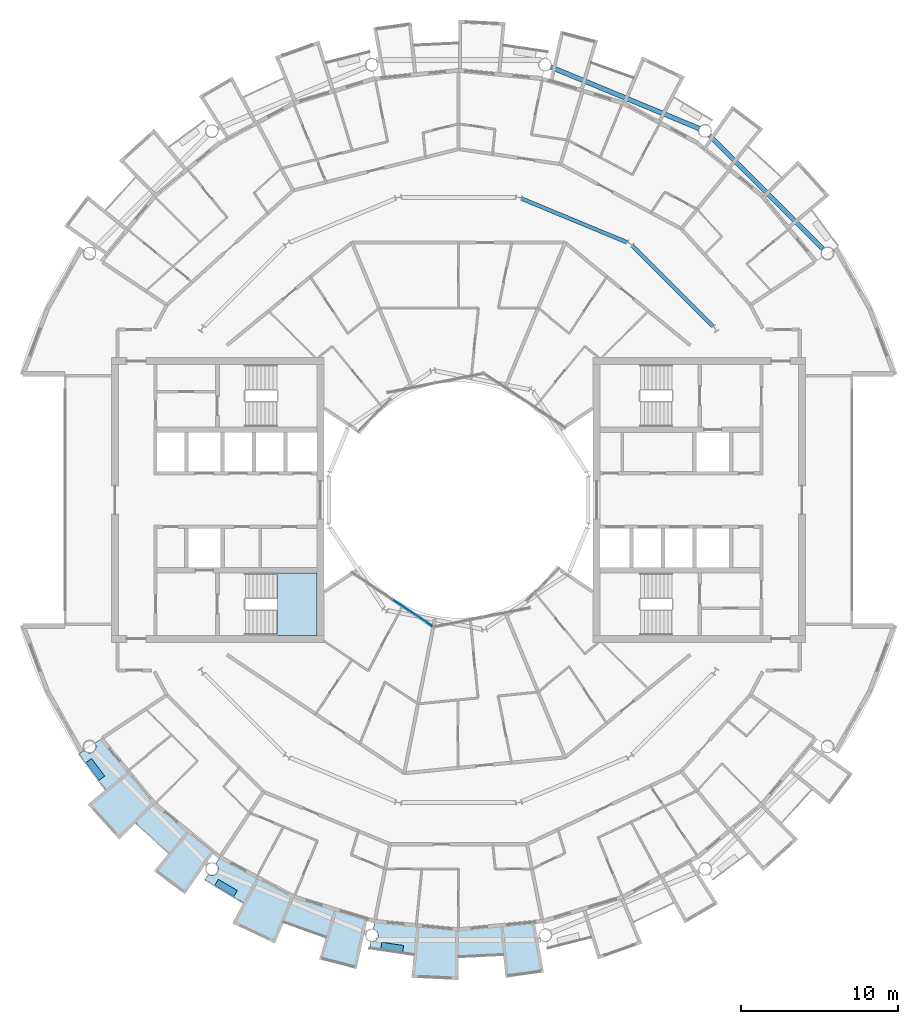
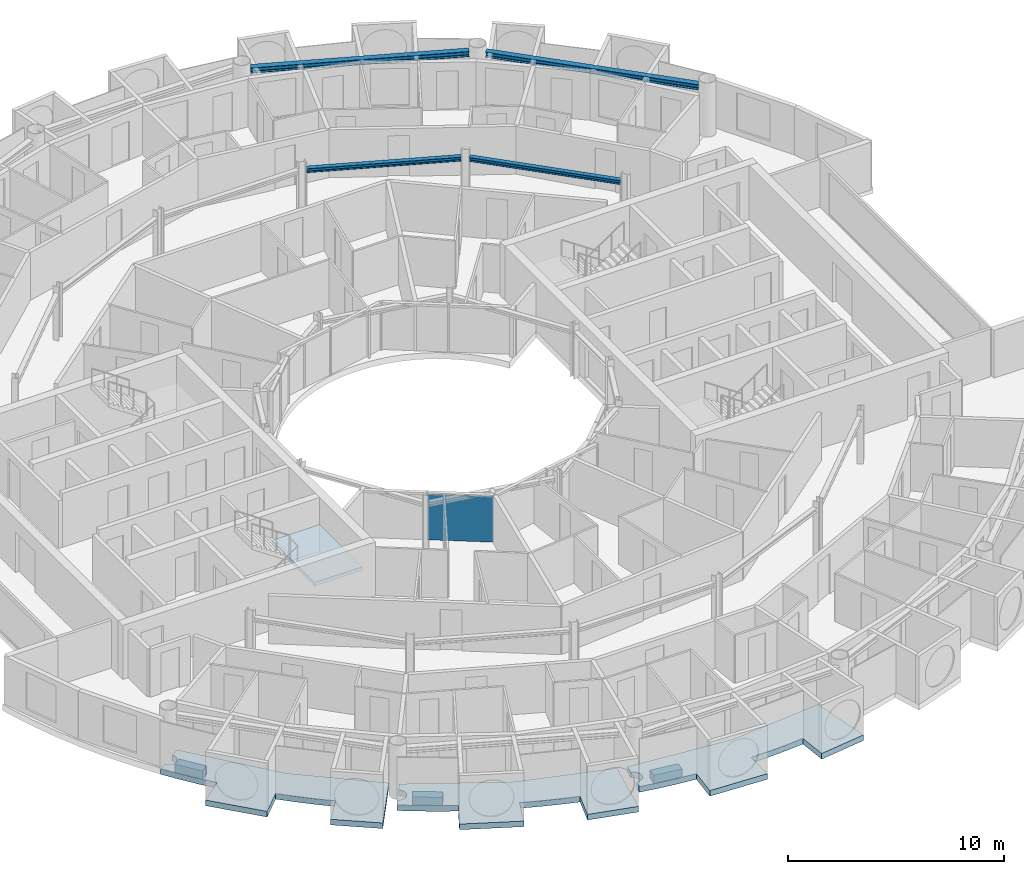
# One storey, part 11 of 29: 7 slabs, 4 beams, 1 plate, 2 elements without a shape of their own.
"""IFC4 building model written with IfcOpenShell, lengths in metres."""

from ifc_helpers import new_model, si_unit, direction, frame, origin, origin_2d, place, context, subcontext, project, spatial, polyline, rectangle, i_section, outline, extrude, material, layer, layer_set, material_profile, profile_set, type_object, element, aggregate, save


model = new_model("IFC4")

# Units and contexts
model_context = context("Model", 3, precision=1e-05, world=origin(), true_north=direction((0.0, 1.0)))
body_context = subcontext(model_context, "Body", "Model", "MODEL_VIEW")
ifc_project = project(units=[si_unit("LENGTHUNIT", "METRE"), si_unit("AREAUNIT", "SQUARE_METRE"), si_unit("VOLUMEUNIT", "CUBIC_METRE"), si_unit("PLANEANGLEUNIT", "RADIAN"), si_unit("MASSUNIT", "GRAM", prefix="KILO")], contexts=[model_context])

# Site, building, storey
site_placement = place(None, origin())
site = spatial("IfcSite", under=ifc_project, at=site_placement, CompositionType="ELEMENT")
building_placement = place(site_placement, origin())
building = spatial("IfcBuilding", under=site, at=building_placement, Name="Maasbend Ring Residences", CompositionType="ELEMENT")
storey_placement = place(building_placement, frame((0.0, 0.0, 215.75)))
storey = spatial("IfcBuildingStorey", under=building, at=storey_placement, Name="L62", CompositionType="ELEMENT", Elevation=215.75)

# Beams
ifc_material_1 = material(Name="Steel S355J2", Category="steel")
ifc_material_profile_1 = material_profile(ifc_material_1, i_section(OverallWidth=0.239990234375, OverallDepth=0.22998046875, WebThickness=0.007568359375, FlangeThickness=0.011962890625, FilletRadius=0.02099609375, at=origin_2d()), Name="HEA 240")
ifc_profile_set_1 = profile_set([ifc_material_profile_1], Name="Steel S355J2")
beam_type_1 = type_object("IfcBeamType", Name="Corridor ring beam HEA 240", PredefinedType="BEAM", material=ifc_profile_set_1)
beam_1_placement = place(storey_placement, frame((16.152587890625, 11.033447265625, 2.5849609375), z_axis=(-0.707106781187, 0.707106781187, 0.0), x_axis=(-0.707106781187, -0.707106781187, 0.0)))
element("IfcBeam", 1, at=beam_1_placement, inside=storey, type_object=beam_type_1, Name="Corridor ring beam", PredefinedType="BEAM", context=body_context, shape_type="SweptSolid", body=[
    extrude(i_section(OverallWidth=0.239990234375, OverallDepth=0.22998046875, WebThickness=0.007568359375, FlangeThickness=0.011962890625, FilletRadius=0.02099609375, at=origin_2d()), origin(), (0.0, 0.0, 1.0), 7.239501953125),
])
beam_2_placement = place(storey_placement, frame((10.70068359375, 16.374755859375, 2.5849609375), z_axis=(-0.923865162022, 0.382718123952, 0.0), x_axis=(-0.382718123952, -0.923865162022, 0.0)))
element("IfcBeam", 2, at=beam_2_placement, inside=storey, type_object=beam_type_1, Name="Corridor ring beam", PredefinedType="BEAM", context=body_context, shape_type="SweptSolid", body=[
    extrude(i_section(OverallWidth=0.239990234375, OverallDepth=0.22998046875, WebThickness=0.007568359375, FlangeThickness=0.011962890625, FilletRadius=0.02099609375, at=origin_2d()), origin(), (0.0, 0.0, 1.0), 7.23974609375),
])
ifc_material_2 = material(Name="Steel S355J2", Category="steel")
ifc_material_profile_2 = material_profile(ifc_material_2, i_section(OverallWidth=0.300048828125, OverallDepth=0.300048828125, WebThickness=0.010986328125, FlangeThickness=0.01904296875, FilletRadius=0.027099609375, at=origin_2d()), Name="HEB 300")
ifc_profile_set_2 = profile_set([ifc_material_profile_2], Name="Steel S355J2")
beam_type_2 = type_object("IfcBeamType", Name="Spandrel ring beam HEB 300", PredefinedType="SPANDREL", material=ifc_profile_set_2)
for number, where, z_axis, x_axis, name in (
    (3, (23.159912109375, 15.95458984375, 2.550048828125), (-0.707106781187, 0.707106781187, 0.0), (-0.707106781187, -0.707106781187, 0.0), "Spandrel ring beam"),
    (4, (15.29150390625, 23.60302734375, 2.550048828125), (-0.923883676188, 0.382673428492, 0.0), (-0.382673428492, -0.923883676188, 0.0), "Spandrel ring beam"),
):
    element("IfcBeam", number, at=place(storey_placement, frame(where, z_axis=z_axis, x_axis=x_axis)), inside=storey, type_object=beam_type_2, Name=name, PredefinedType="SPANDREL", context=body_context, shape_type="SweptSolid", body=[
        extrude(i_section(OverallWidth=0.300048828125, OverallDepth=0.300048828125, WebThickness=0.010986328125, FlangeThickness=0.01904296875, FilletRadius=0.027099609375, at=origin_2d()), origin(), (0.0, 0.0, 1.0), 10.18994140625),
    ])

# Stair, slab
ifc_material_3 = material(Name="Concrete C40/50", Category="concrete")
stair_type = type_object("IfcStairType", Name="CORE STAIR 18 RISERS", PredefinedType="HALF_TURN_STAIR", material=ifc_material_3)
stair_placement = place(storey_placement, origin())
stair = element("IfcStair", 5, at=stair_placement, inside=storey, type_object=stair_type, Name="L62 Exit stair ST-W1", PredefinedType="HALF_TURN_STAIR")
ifc_material_4 = material(Name="Concrete C40/50", Category="concrete")
ifc_layer_1 = layer(ifc_material_4, 0.199951171875)
ifc_layer_set_1 = layer_set([ifc_layer_1], Name="Concrete C40/50")
slab_type_1 = type_object("IfcSlabType", Name="CORE STAIR LANDING 200", PredefinedType="LANDING", material=ifc_layer_set_1)
slab_1_placement = place(storey_placement, frame((0.0, 0.0, 1.324951171875)))
slab_1 = element("IfcSlab", 6, at=slab_1_placement, type_object=slab_type_1, Name="ST-W1 landing 1", PredefinedType="LANDING", context=body_context, shape_type="SweptSolid", body=[
    extrude(outline(polyline([(-11.550048828125, -8.60009765625), (-9.0, -8.60009765625), (-9.0, -4.64990234375), (-11.550048828125, -4.64990234375), (-11.550048828125, -8.60009765625)])), origin(), (0.0, 0.0, 1.0), 0.199951171875),
])
aggregate(stair, [slab_1])

# Curtain wall, plate
ifc_material_5 = material(Name="Aluminium and clear glass", Category="aluminium")
ifc_layer_2 = layer(ifc_material_5, 0.179931640625)
ifc_layer_set_2 = layer_set([ifc_layer_2], Name="CW-W")
curtain_wall_type = type_object("IfcCurtainWallType", Name="CW-W", PredefinedType="NOTDEFINED", material=ifc_layer_set_2)
curtain_wall_placement = place(storey_placement, origin())
curtain_wall = element("IfcCurtainWall", 7, at=curtain_wall_placement, inside=storey, type_object=curtain_wall_type, Name="Well curtain wall S1", PredefinedType="NOTDEFINED")
ifc_material_6 = material(Name="Glass clear laminated", Category="glass")
ifc_layer_3 = layer(ifc_material_6, 0.031982421875)
ifc_layer_set_3 = layer_set([ifc_layer_3], Name="CWP-W")
plate_type = type_object("IfcPlateType", Name="CWP-W", PredefinedType="CURTAIN_PANEL", material=ifc_layer_set_3)
plate_placement = place(storey_placement, frame((-2.922119140625, -7.17578125, 0.0), z_axis=(0.0, 0.0, 1.0), x_axis=(0.831469612303, -0.55557023302, 0.0)))
plate = element("IfcPlate", 8, at=plate_placement, type_object=plate_type, Name="Glass panel well face", PredefinedType="CURTAIN_PANEL", context=body_context, shape_type="SweptSolid", body=[
    extrude(rectangle(XDim=3.053955078125, YDim=0.031982421875, at=origin_2d()), origin(), (0.0, 0.0, 1.0), 2.580078125),
])
aggregate(curtain_wall, [plate])

# Slabs
ifc_material_7 = material(Name="Planting with climbing greenery")
ifc_layer_4 = layer(ifc_material_7, 0.449951171875)
ifc_layer_set_4 = layer_set([ifc_layer_4], Name="PLANTER-LG")
slab_type_2 = type_object("IfcSlabType", Name="PLANTER-LG", PredefinedType="USERDEFINED", material=ifc_layer_set_4)
slab_2_placement = place(storey_placement, frame((0.0, 0.0, -0.030029296875)))
element("IfcSlab", 9, at=slab_2_placement, inside=storey, type_object=slab_type_2, Name="Planter with climbing greenery 1", ObjectType="PLANTER", PredefinedType="USERDEFINED", context=body_context, shape_type="SweptSolid", body=[
    extrude(outline(polyline([(-23.681884765625, -16.69189453125), (-22.847900390625, -17.81689453125), (-22.487060546875, -17.549072265625), (-23.321044921875, -16.424072265625), (-23.681884765625, -16.69189453125)])), origin(), (0.0, 0.0, 1.0), 0.449951171875),
])
slab_3_placement = place(storey_placement, frame((0.0, 0.0, -0.030029296875)))
element("IfcSlab", 10, at=slab_3_placement, inside=storey, type_object=slab_type_2, Name="Planter with climbing greenery 2", ObjectType="PLANTER", PredefinedType="USERDEFINED", context=body_context, shape_type="SweptSolid", body=[
    extrude(outline(polyline([(-15.490966796875, -24.48388671875), (-14.291015625, -25.2041015625), (-14.05908203125, -24.818115234375), (-15.260009765625, -24.097900390625), (-15.490966796875, -24.48388671875)])), origin(), (0.0, 0.0, 1.0), 0.449951171875),
])
slab_4_placement = place(storey_placement, frame((0.0, 0.0, -0.030029296875)))
element("IfcSlab", 11, at=slab_4_placement, inside=storey, type_object=slab_type_2, Name="Planter with climbing greenery 3", ObjectType="PLANTER", PredefinedType="USERDEFINED", context=body_context, shape_type="SweptSolid", body=[
    extrude(outline(polyline([(-4.94189453125, -28.549072265625), (-3.55810546875, -28.75390625), (-3.491943359375, -28.30908203125), (-4.8759765625, -28.10400390625), (-4.94189453125, -28.549072265625)])), origin(), (0.0, 0.0, 1.0), 0.449951171875),
])
ifc_material_8 = material(Name="Concrete C40/50", Category="concrete")
ifc_layer_5 = layer(ifc_material_8, 0.199951171875)
ifc_layer_set_5 = layer_set([ifc_layer_5], Name="Concrete C40/50")
slab_type_3 = type_object("IfcSlabType", Name="SL-LOGGIA", PredefinedType="FLOOR", material=ifc_layer_set_5)
slab_5_placement = place(storey_placement, frame((0.0, 0.0, -0.35009765625)))
element("IfcSlab", 12, at=slab_5_placement, inside=storey, type_object=slab_type_3, Name="Loggia floor 1", PredefinedType="FLOOR", context=body_context, shape_type="SweptSolid", body=[
    extrude(outline(polyline([(-15.866943359375, -23.801025390625), (-15.85888671875, -23.805908203125), (-15.85009765625, -23.81005859375), (-15.841064453125, -23.81494140625), (-15.83203125, -23.819091796875), (-15.822998046875, -23.822998046875), (-15.81298828125, -23.826904296875), (-15.803955078125, -23.830078125), (-15.794921875, -23.8330078125), (-15.784912109375, -23.8359375), (-15.77587890625, -23.839111328125), (-15.76611328125, -23.842041015625), (-15.756103515625, -23.843994140625), (-15.74609375, -23.845947265625), (-15.737060546875, -23.847900390625), (-15.72705078125, -23.85009765625), (-15.717041015625, -23.85107421875), (-15.70703125, -23.85205078125), (-15.697021484375, -23.85302734375), (-15.68701171875, -23.85302734375), (-15.677001953125, -23.85400390625), (-15.6669921875, -23.85400390625), (-15.656982421875, -23.85400390625), (-15.64697265625, -23.85302734375), (-15.636962890625, -23.85302734375), (-15.626953125, -23.85205078125), (-15.616943359375, -23.85107421875), (-15.60693359375, -23.85009765625), (-15.597900390625, -23.847900390625), (-15.587890625, -23.845947265625), (-15.577880859375, -23.843994140625), (-15.568115234375, -23.842041015625), (-15.55908203125, -23.839111328125), (-15.549072265625, -23.8359375), (-15.5400390625, -23.8330078125), (-15.530029296875, -23.830078125), (-15.52099609375, -23.826904296875), (-15.511962890625, -23.822998046875), (-15.501953125, -23.819091796875), (-15.492919921875, -23.81494140625), (-15.48388671875, -23.81005859375), (-15.47509765625, -23.805908203125), (-15.467041015625, -23.801025390625), (-15.4580078125, -23.7958984375), (-15.449951171875, -23.791015625), (-15.44091796875, -23.784912109375), (-15.43310546875, -23.780029296875), (-15.425048828125, -23.77392578125), (-15.4169921875, -23.76806640625), (-15.408935546875, -23.761962890625), (-15.402099609375, -23.7548828125), (-15.39404296875, -23.7490234375), (-15.386962890625, -23.741943359375), (-15.3798828125, -23.735107421875), (-15.373046875, -23.72802734375), (-15.365966796875, -23.719970703125), (-15.35888671875, -23.712890625), (-15.35302734375, -23.705078125), (-15.346923828125, -23.697021484375), (-15.341064453125, -23.68994140625), (-15.3349609375, -23.680908203125), (-15.3291015625, -23.673095703125), (-15.323974609375, -23.6650390625), (-15.318115234375, -23.656005859375), (-15.31298828125, -23.64794921875), (-15.30908203125, -23.638916015625), (-15.303955078125, -23.6298828125), (-15.300048828125, -23.62109375), (-15.294921875, -23.612060546875), (-15.2919921875, -23.60302734375), (-15.2880859375, -23.593994140625), (-15.283935546875, -23.583984375), (-15.281005859375, -23.574951171875), (-15.278076171875, -23.56494140625), (-15.27490234375, -23.555908203125), (-15.27294921875, -23.5458984375), (-15.27001953125, -23.535888671875), (-15.26806640625, -23.527099609375), (-15.26708984375, -23.51708984375), (-15.264892578125, -23.507080078125), (-15.263916015625, -23.4970703125), (-15.262939453125, -23.487060546875), (-15.261962890625, -23.47705078125), (-15.260986328125, -23.467041015625), (-15.260986328125, -23.45703125), (-15.260986328125, -23.447021484375), (-15.260986328125, -23.43701171875), (-15.260986328125, -23.427001953125), (-15.261962890625, -23.4169921875), (-15.262939453125, -23.407958984375), (-15.263916015625, -23.39794921875), (-15.264892578125, -23.387939453125), (-15.26708984375, -23.3779296875), (-15.26806640625, -23.367919921875), (-15.27001953125, -23.35791015625), (-15.27294921875, -23.34912109375), (-15.27490234375, -23.339111328125), (-15.278076171875, -23.3291015625), (-15.281005859375, -23.320068359375), (-15.283935546875, -23.31005859375), (-15.2880859375, -23.301025390625), (-15.2919921875, -23.2919921875), (-15.294921875, -23.282958984375), (-15.300048828125, -23.27392578125), (-15.303955078125, -23.264892578125), (-15.30908203125, -23.256103515625), (-15.31298828125, -23.2470703125), (-15.318115234375, -23.238037109375), (-15.323974609375, -23.22998046875), (-15.3291015625, -23.221923828125), (-15.3349609375, -23.212890625), (-15.341064453125, -23.205078125), (-15.346923828125, -23.197021484375), (-15.35302734375, -23.18994140625), (-15.35888671875, -23.181884765625), (-15.365966796875, -23.174072265625), (-15.373046875, -23.1669921875), (-15.3798828125, -23.159912109375), (-15.386962890625, -23.153076171875), (-15.39404296875, -23.14599609375), (-15.402099609375, -23.139892578125), (-15.408935546875, -23.133056640625), (-15.4169921875, -23.126953125), (-15.425048828125, -23.12109375), (-15.43310546875, -23.114990234375), (-15.44091796875, -23.10888671875), (-15.1669921875, -22.698974609375), (-15.1669921875, -22.698974609375), (-15.1669921875, -22.698974609375), (-12.806884765625, -23.9609375), (-10.447021484375, -25.221923828125), (-10.447021484375, -25.221923828125), (-10.447021484375, -25.221923828125), (-7.886962890625, -25.9990234375), (-5.797119140625, -26.633056640625), (-5.797119140625, -26.633056640625), (-5.797119140625, -26.633056640625), (-6.487060546875, -29.802001953125), (-6.487060546875, -29.802001953125), (-6.487060546875, -29.802001953125), (-8.85400390625, -29.18701171875), (-8.85400390625, -29.18701171875), (-8.85400390625, -29.18701171875), (-8.41796875, -27.751953125), (-8.41796875, -27.751953125), (-8.41796875, -27.751953125), (-8.41796875, -27.751953125), (-8.41796875, -27.751953125), (-8.41796875, -27.751953125), (-8.41796875, -27.7509765625), (-8.41796875, -27.7509765625), (-8.41796875, -27.7509765625), (-8.41796875, -27.7509765625), (-8.41796875, -27.7509765625), (-8.4189453125, -27.7509765625), (-8.4189453125, -27.7509765625), (-8.4189453125, -27.7509765625), (-8.4189453125, -27.7509765625), (-8.4189453125, -27.7509765625), (-8.4189453125, -27.7509765625), (-9.322021484375, -27.4609375), (-9.322021484375, -27.4609375), (-10.215087890625, -27.14111328125), (-10.215087890625, -27.14111328125), (-11.096923828125, -26.79296875), (-11.096923828125, -26.79296875), (-11.096923828125, -26.79296875), (-11.097900390625, -26.79296875), (-11.097900390625, -26.79296875), (-11.097900390625, -26.79296875), (-11.097900390625, -26.79296875), (-11.097900390625, -26.79296875), (-11.097900390625, -26.79296875), (-11.097900390625, -26.79296875), (-11.097900390625, -26.79296875), (-11.097900390625, -26.79296875), (-11.097900390625, -26.79296875), (-11.097900390625, -26.79296875), (-11.097900390625, -26.79296875), (-11.097900390625, -26.79296875), (-11.097900390625, -26.79296875), (-11.672119140625, -28.177978515625), (-11.672119140625, -28.177978515625), (-11.672119140625, -28.177978515625), (-14.3779296875, -26.89892578125), (-14.3779296875, -26.89892578125), (-14.3779296875, -26.89892578125), (-13.6708984375, -25.575927734375), (-13.6708984375, -25.575927734375), (-13.6708984375, -25.575927734375), (-13.6708984375, -25.575927734375), (-13.6708984375, -25.575927734375), (-13.6708984375, -25.575927734375), (-13.6708984375, -25.575927734375), (-13.6708984375, -25.575927734375), (-13.6708984375, -25.575927734375), (-13.6708984375, -25.575927734375), (-13.6708984375, -25.575927734375), (-13.6708984375, -25.575927734375), (-13.6708984375, -25.575927734375), (-13.6708984375, -25.575927734375), (-13.6708984375, -25.575927734375), (-13.6708984375, -25.575927734375), (-13.6708984375, -25.574951171875), (-14.5, -25.114990234375), (-14.5, -25.114990234375), (-15.31396484375, -24.626953125), (-15.31396484375, -24.626953125), (-16.112060546875, -24.113037109375), (-16.112060546875, -24.113037109375), (-16.112060546875, -24.113037109375), (-15.89306640625, -23.784912109375), (-15.885009765625, -23.791015625), (-15.8759765625, -23.7958984375), (-15.866943359375, -23.801025390625)])), origin(), (0.0, 0.0, 1.0), 0.320068359375),
])
slab_6_placement = place(storey_placement, frame((0.0, 0.0, -0.35009765625)))
element("IfcSlab", 13, at=slab_6_placement, inside=storey, type_object=slab_type_3, Name="Loggia floor 3", PredefinedType="FLOOR", context=body_context, shape_type="SweptSolid", body=[
    extrude(outline(polyline([(-2.6630859375, -27.0380859375), (0.0, -27.300048828125), (0.0, -27.300048828125), (0.0, -27.300048828125), (2.6630859375, -27.0380859375), (4.8359375, -26.823974609375), (4.8359375, -26.823974609375), (4.8359375, -26.823974609375), (5.412109375, -30.01611328125), (5.412109375, -30.01611328125), (5.412109375, -30.01611328125), (2.989990234375, -30.35302734375), (2.989990234375, -30.35302734375), (2.989990234375, -30.35302734375), (2.843017578125, -28.861083984375), (2.843017578125, -28.861083984375), (2.843017578125, -28.861083984375), (2.843017578125, -28.861083984375), (2.842041015625, -28.861083984375), (2.842041015625, -28.861083984375), (2.842041015625, -28.861083984375), (2.842041015625, -28.861083984375), (2.842041015625, -28.861083984375), (2.842041015625, -28.860107421875), (2.842041015625, -28.860107421875), (2.842041015625, -28.860107421875), (2.842041015625, -28.860107421875), (2.842041015625, -28.860107421875), (2.842041015625, -28.860107421875), (2.842041015625, -28.860107421875), (2.842041015625, -28.860107421875), (1.89697265625, -28.93798828125), (1.89697265625, -28.93798828125), (0.948974609375, -28.98388671875), (0.948974609375, -28.98388671875), (0.0, -29.0), (0.0, -29.0), (0.0, -29.0), (0.0, -29.0), (0.0, -29.0), (0.0, -29.0), (0.0, -29.0), (0.0, -29.0), (0.0, -29.0), (0.0, -29.0), (0.0, -29.0), (0.0, -29.0), (0.0, -29.0), (0.0, -29.0), (0.0, -29.0), (0.0, -29.0), (0.0, -29.0), (0.0, -30.5), (0.0, -30.5), (0.0, -30.5), (-2.989990234375, -30.35302734375), (-2.989990234375, -30.35302734375), (-2.989990234375, -30.35302734375), (-2.843017578125, -28.861083984375), (-2.843017578125, -28.861083984375), (-2.843017578125, -28.861083984375), (-2.843017578125, -28.861083984375), (-2.843017578125, -28.861083984375), (-2.843017578125, -28.861083984375), (-2.843017578125, -28.861083984375), (-2.843017578125, -28.861083984375), (-2.843017578125, -28.860107421875), (-2.843017578125, -28.860107421875), (-2.843017578125, -28.860107421875), (-2.843017578125, -28.860107421875), (-2.843017578125, -28.860107421875), (-2.843017578125, -28.860107421875), (-2.843017578125, -28.860107421875), (-2.843017578125, -28.860107421875), (-2.843017578125, -28.860107421875), (-3.784912109375, -28.751953125), (-3.784912109375, -28.751953125), (-4.72412109375, -28.613037109375), (-4.72412109375, -28.613037109375), (-5.657958984375, -28.443115234375), (-5.657958984375, -28.443115234375), (-5.657958984375, -28.443115234375), (-5.5810546875, -28.056884765625), (-5.5810546875, -28.056884765625), (-5.571044921875, -28.05908203125), (-5.56103515625, -28.06005859375), (-5.551025390625, -28.06201171875), (-5.541015625, -28.06298828125), (-5.531005859375, -28.06298828125), (-5.52099609375, -28.06396484375), (-5.510986328125, -28.06396484375), (-5.501953125, -28.06494140625), (-5.491943359375, -28.06396484375), (-5.48193359375, -28.06396484375), (-5.471923828125, -28.06298828125), (-5.4619140625, -28.06298828125), (-5.451904296875, -28.06201171875), (-5.44189453125, -28.06005859375), (-5.431884765625, -28.05908203125), (-5.422119140625, -28.056884765625), (-5.412109375, -28.054931640625), (-5.403076171875, -28.052001953125), (-5.39306640625, -28.050048828125), (-5.383056640625, -28.047119140625), (-5.3740234375, -28.0439453125), (-5.364990234375, -28.041015625), (-5.35498046875, -28.037109375), (-5.345947265625, -28.033935546875), (-5.3369140625, -28.030029296875), (-5.327880859375, -28.02587890625), (-5.319091796875, -28.02099609375), (-5.31005859375, -28.01708984375), (-5.301025390625, -28.011962890625), (-5.29296875, -28.007080078125), (-5.283935546875, -28.001953125), (-5.27587890625, -27.99609375), (-5.26708984375, -27.989990234375), (-5.259033203125, -27.985107421875), (-5.2509765625, -27.97900390625), (-5.243896484375, -27.971923828125), (-5.236083984375, -27.966064453125), (-5.22900390625, -27.958984375), (-5.220947265625, -27.952880859375), (-5.214111328125, -27.946044921875), (-5.20703125, -27.93798828125), (-5.199951171875, -27.930908203125), (-5.194091796875, -27.924072265625), (-5.18701171875, -27.916015625), (-5.180908203125, -27.907958984375), (-5.175048828125, -27.89990234375), (-5.1689453125, -27.89208984375), (-5.1640625, -27.884033203125), (-5.157958984375, -27.8759765625), (-5.153076171875, -27.866943359375), (-5.14794921875, -27.85791015625), (-5.14306640625, -27.85009765625), (-5.137939453125, -27.841064453125), (-5.134033203125, -27.83203125), (-5.1298828125, -27.822998046875), (-5.1259765625, -27.81396484375), (-5.1220703125, -27.803955078125), (-5.118896484375, -27.794921875), (-5.115966796875, -27.785888671875), (-5.113037109375, -27.77587890625), (-5.110107421875, -27.76708984375), (-5.10693359375, -27.757080078125), (-5.10498046875, -27.7470703125), (-5.10302734375, -27.737060546875), (-5.10107421875, -27.72802734375), (-5.09912109375, -27.718017578125), (-5.097900390625, -27.7080078125), (-5.096923828125, -27.697998046875), (-5.095947265625, -27.68798828125), (-5.094970703125, -27.677978515625), (-5.094970703125, -27.66796875), (-5.094970703125, -27.657958984375), (-5.094970703125, -27.64794921875), (-5.094970703125, -27.637939453125), (-5.095947265625, -27.6279296875), (-5.096923828125, -27.617919921875), (-5.097900390625, -27.60791015625), (-5.09912109375, -27.597900390625), (-5.10107421875, -27.589111328125), (-5.10302734375, -27.5791015625), (-5.10498046875, -27.569091796875), (-5.10693359375, -27.55908203125), (-5.110107421875, -27.550048828125), (-5.113037109375, -27.5400390625), (-5.115966796875, -27.531005859375), (-5.118896484375, -27.52099609375), (-5.1220703125, -27.511962890625), (-5.1259765625, -27.5029296875), (-5.1298828125, -27.492919921875), (-5.134033203125, -27.48388671875), (-5.137939453125, -27.47509765625), (-5.14306640625, -27.466064453125), (-5.14794921875, -27.4580078125), (-5.153076171875, -27.448974609375), (-5.157958984375, -27.44091796875), (-5.1640625, -27.431884765625), (-5.1689453125, -27.424072265625), (-5.175048828125, -27.416015625), (-5.180908203125, -27.407958984375), (-5.18701171875, -27.39990234375), (-5.194091796875, -27.39306640625), (-5.199951171875, -27.385009765625), (-5.20703125, -27.3779296875), (-5.214111328125, -27.37109375), (-5.220947265625, -27.364013671875), (-5.22900390625, -27.35693359375), (-5.236083984375, -27.35009765625), (-5.243896484375, -27.343994140625), (-5.2509765625, -27.337890625), (-5.259033203125, -27.33203125), (-5.26708984375, -27.325927734375), (-5.27587890625, -27.320068359375), (-5.283935546875, -27.31494140625), (-5.29296875, -27.30908203125), (-5.301025390625, -27.303955078125), (-5.31005859375, -27.300048828125), (-5.319091796875, -27.294921875), (-5.327880859375, -27.291015625), (-5.3369140625, -27.285888671875), (-5.345947265625, -27.282958984375), (-5.35498046875, -27.279052734375), (-5.364990234375, -27.27490234375), (-5.3740234375, -27.27197265625), (-5.383056640625, -27.26904296875), (-5.39306640625, -27.26611328125), (-5.403076171875, -27.263916015625), (-5.412109375, -27.260986328125), (-5.422119140625, -27.259033203125), (-5.422119140625, -27.259033203125), (-5.325927734375, -26.77490234375), (-5.325927734375, -26.77490234375), (-5.325927734375, -26.77490234375), (-2.6630859375, -27.0380859375)])), origin(), (0.0, 0.0, 1.0), 0.320068359375),
])
slab_7_placement = place(storey_placement, frame((0.0, 0.0, -0.35009765625)))
element("IfcSlab", 14, at=slab_7_placement, inside=storey, type_object=slab_type_3, Name="Loggia floor 4", PredefinedType="FLOOR", context=body_context, shape_type="SweptSolid", body=[
    extrude(outline(polyline([(-23.77392578125, -15.908935546875), (-23.76806640625, -15.9169921875), (-23.761962890625, -15.925048828125), (-23.7548828125, -15.93310546875), (-23.7490234375, -15.93994140625), (-23.741943359375, -15.947021484375), (-23.735107421875, -15.955078125), (-23.72802734375, -15.9619140625), (-23.719970703125, -15.968017578125), (-23.712890625, -15.97509765625), (-23.705078125, -15.98095703125), (-23.697021484375, -15.988037109375), (-23.68994140625, -15.993896484375), (-23.680908203125, -15.9990234375), (-23.673095703125, -16.0048828125), (-23.6650390625, -16.010986328125), (-23.656005859375, -16.01611328125), (-23.64794921875, -16.02099609375), (-23.638916015625, -16.02587890625), (-23.6298828125, -16.030029296875), (-23.62109375, -16.034912109375), (-23.612060546875, -16.0390625), (-23.60302734375, -16.04296875), (-23.593994140625, -16.0458984375), (-23.583984375, -16.050048828125), (-23.574951171875, -16.052978515625), (-23.56494140625, -16.055908203125), (-23.555908203125, -16.05908203125), (-23.5458984375, -16.06103515625), (-23.535888671875, -16.06396484375), (-23.527099609375, -16.06591796875), (-23.51708984375, -16.068115234375), (-23.507080078125, -16.069091796875), (-23.4970703125, -16.071044921875), (-23.487060546875, -16.072021484375), (-23.47705078125, -16.072021484375), (-23.467041015625, -16.072998046875), (-23.45703125, -16.072998046875), (-23.447021484375, -16.073974609375), (-23.43701171875, -16.072998046875), (-23.427001953125, -16.072998046875), (-23.4169921875, -16.072021484375), (-23.407958984375, -16.072021484375), (-23.39794921875, -16.071044921875), (-23.387939453125, -16.069091796875), (-23.3779296875, -16.068115234375), (-23.367919921875, -16.06591796875), (-23.35791015625, -16.06396484375), (-23.34912109375, -16.06103515625), (-23.339111328125, -16.05908203125), (-23.3291015625, -16.055908203125), (-23.320068359375, -16.052978515625), (-23.31005859375, -16.050048828125), (-23.301025390625, -16.0458984375), (-23.2919921875, -16.04296875), (-23.282958984375, -16.0390625), (-23.27392578125, -16.034912109375), (-23.264892578125, -16.030029296875), (-23.256103515625, -16.02587890625), (-23.2470703125, -16.02099609375), (-23.238037109375, -16.01611328125), (-23.22998046875, -16.010986328125), (-23.221923828125, -16.0048828125), (-23.212890625, -15.9990234375), (-23.205078125, -15.993896484375), (-23.197021484375, -15.988037109375), (-23.18994140625, -15.98095703125), (-23.181884765625, -15.97509765625), (-23.174072265625, -15.968017578125), (-23.1669921875, -15.9619140625), (-23.159912109375, -15.955078125), (-23.153076171875, -15.947021484375), (-23.14599609375, -15.93994140625), (-23.139892578125, -15.93310546875), (-23.133056640625, -15.925048828125), (-23.126953125, -15.9169921875), (-23.12109375, -15.908935546875), (-23.114990234375, -15.90087890625), (-23.10888671875, -15.89306640625), (-23.10400390625, -15.885009765625), (-23.09912109375, -15.8759765625), (-23.093994140625, -15.866943359375), (-23.089111328125, -15.85888671875), (-23.083984375, -15.85009765625), (-23.080078125, -15.841064453125), (-23.075927734375, -15.83203125), (-23.072021484375, -15.822998046875), (-23.068115234375, -15.81298828125), (-23.06494140625, -15.803955078125), (-23.06103515625, -15.794921875), (-23.05810546875, -15.784912109375), (-23.055908203125, -15.77587890625), (-23.052978515625, -15.76611328125), (-23.051025390625, -15.756103515625), (-23.049072265625, -15.74609375), (-23.047119140625, -15.737060546875), (-23.044921875, -15.72705078125), (-23.0439453125, -15.717041015625), (-23.04296875, -15.70703125), (-23.0419921875, -15.697021484375), (-23.041015625, -15.68701171875), (-23.041015625, -15.677001953125), (-23.041015625, -15.6669921875), (-23.041015625, -15.656982421875), (-23.041015625, -15.64697265625), (-23.0419921875, -15.636962890625), (-23.04296875, -15.626953125), (-23.0439453125, -15.616943359375), (-23.044921875, -15.60693359375), (-23.047119140625, -15.597900390625), (-23.049072265625, -15.587890625), (-23.051025390625, -15.577880859375), (-23.052978515625, -15.568115234375), (-23.055908203125, -15.55908203125), (-23.05810546875, -15.549072265625), (-23.06103515625, -15.5400390625), (-23.06494140625, -15.530029296875), (-23.068115234375, -15.52099609375), (-23.072021484375, -15.511962890625), (-23.075927734375, -15.501953125), (-23.080078125, -15.492919921875), (-23.083984375, -15.48388671875), (-23.089111328125, -15.47509765625), (-23.093994140625, -15.467041015625), (-23.09912109375, -15.4580078125), (-23.10400390625, -15.449951171875), (-23.10888671875, -15.44091796875), (-23.10888671875, -15.44091796875), (-22.698974609375, -15.1669921875), (-22.698974609375, -15.1669921875), (-22.698974609375, -15.1669921875), (-21.001953125, -17.236083984375), (-19.303955078125, -19.303955078125), (-19.303955078125, -19.303955078125), (-19.303955078125, -19.303955078125), (-17.236083984375, -21.001953125), (-15.547119140625, -22.386962890625), (-15.547119140625, -22.386962890625), (-15.547119140625, -22.386962890625), (-17.39794921875, -25.051025390625), (-17.39794921875, -25.051025390625), (-17.39794921875, -25.051025390625), (-19.34912109375, -23.576904296875), (-19.34912109375, -23.576904296875), (-19.34912109375, -23.576904296875), (-18.39794921875, -22.41796875), (-18.39794921875, -22.41796875), (-18.39794921875, -22.41796875), (-18.39794921875, -22.41796875), (-18.39794921875, -22.41796875), (-18.39794921875, -22.4169921875), (-18.39794921875, -22.4169921875), (-18.39794921875, -22.4169921875), (-18.39794921875, -22.4169921875), (-18.39794921875, -22.4169921875), (-18.39794921875, -22.4169921875), (-18.39794921875, -22.4169921875), (-18.39794921875, -22.4169921875), (-18.39794921875, -22.4169921875), (-18.39794921875, -22.4169921875), (-18.39794921875, -22.4169921875), (-18.39794921875, -22.4169921875), (-19.12109375, -21.802978515625), (-19.12109375, -21.802978515625), (-19.823974609375, -21.166015625), (-19.823974609375, -21.166015625), (-20.506103515625, -20.506103515625), (-20.506103515625, -20.506103515625), (-20.506103515625, -20.506103515625), (-20.506103515625, -20.506103515625), (-20.506103515625, -20.506103515625), (-20.506103515625, -20.506103515625), (-20.506103515625, -20.506103515625), (-20.506103515625, -20.506103515625), (-20.506103515625, -20.506103515625), (-20.506103515625, -20.506103515625), (-20.506103515625, -20.506103515625), (-20.506103515625, -20.506103515625), (-20.506103515625, -20.506103515625), (-20.506103515625, -20.506103515625), (-20.506103515625, -20.506103515625), (-20.506103515625, -20.506103515625), (-20.506103515625, -20.506103515625), (-21.56689453125, -21.56689453125), (-21.56689453125, -21.56689453125), (-21.56689453125, -21.56689453125), (-23.576904296875, -19.34912109375), (-23.576904296875, -19.34912109375), (-23.576904296875, -19.34912109375), (-22.41796875, -18.39794921875), (-22.41796875, -18.39794921875), (-22.41796875, -18.39794921875), (-22.41796875, -18.39794921875), (-22.41796875, -18.39794921875), (-22.41796875, -18.39794921875), (-22.41796875, -18.39697265625), (-22.41796875, -18.39697265625), (-22.41796875, -18.39697265625), (-22.41796875, -18.39697265625), (-22.41796875, -18.39697265625), (-22.41796875, -18.39697265625), (-22.41796875, -18.39697265625), (-22.41796875, -18.39697265625), (-22.41796875, -18.39697265625), (-22.41796875, -18.39697265625), (-22.41796875, -18.39697265625), (-23.007080078125, -17.654052734375), (-23.007080078125, -17.654052734375), (-23.572998046875, -16.89208984375), (-23.572998046875, -16.89208984375), (-24.113037109375, -16.112060546875), (-24.113037109375, -16.112060546875), (-24.113037109375, -16.112060546875), (-23.784912109375, -15.89306640625), (-23.784912109375, -15.89306640625), (-23.780029296875, -15.90087890625), (-23.77392578125, -15.908935546875)])), origin(), (0.0, 0.0, 1.0), 0.320068359375),
])

save(model, "model.ifc")
